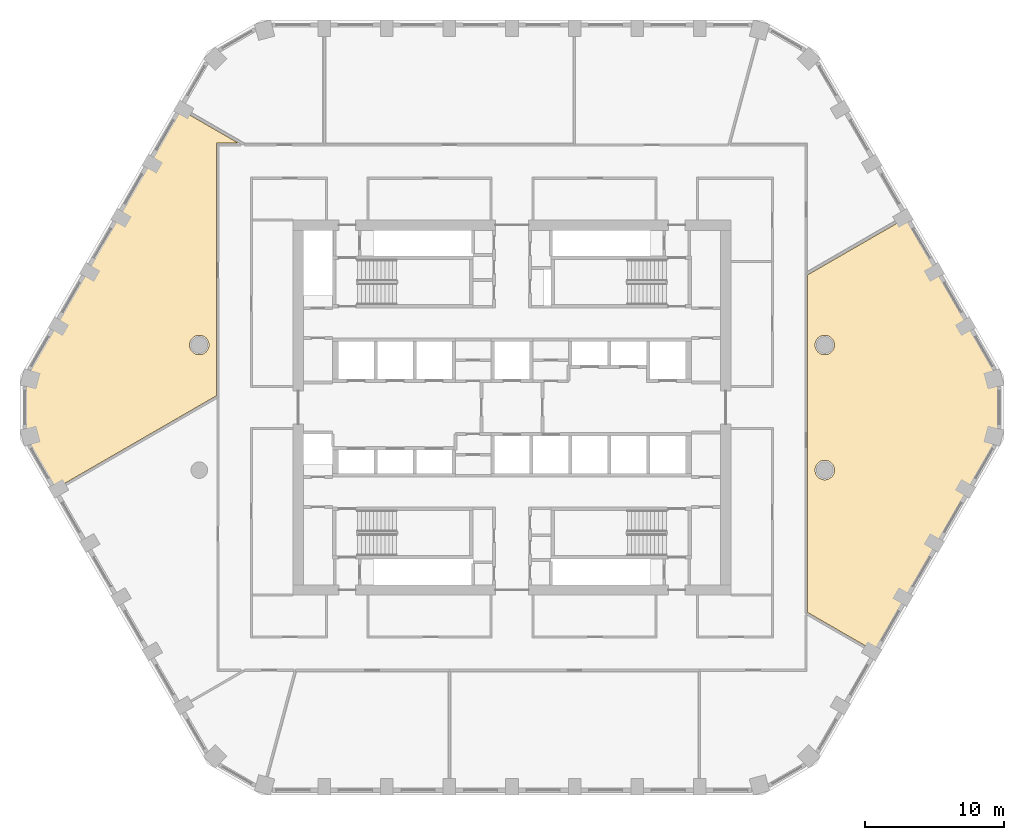
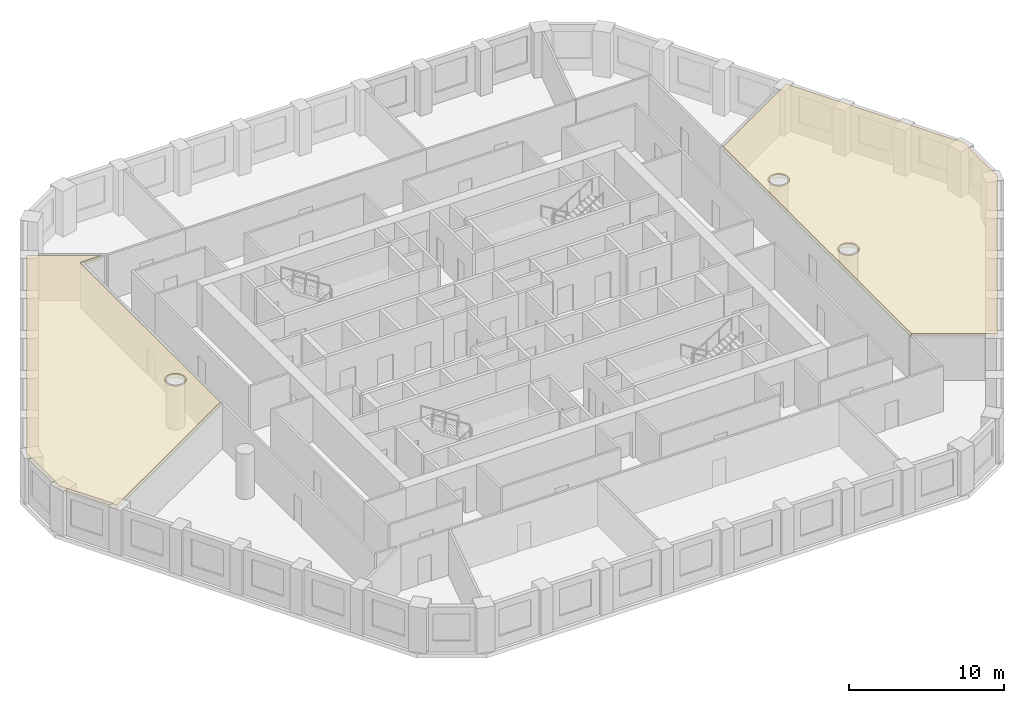
# One storey, part 12 of 14: 2 coverings.
"""IFC4 building model written with IfcOpenShell, lengths in metres."""

from ifc_helpers import new_model, si_unit, direction, frame, origin, place, context, subcontext, project, spatial, polyline, outline, extrude, material, layer, layer_set, type_object, element, save


model = new_model("IFC4")

# Units and contexts
model_context = context("Model", 3, precision=1e-05, world=origin(), true_north=direction((0.0, 1.0)))
body_context = subcontext(model_context, "Body", "Model", "MODEL_VIEW")
ifc_project = project(units=[si_unit("LENGTHUNIT", "METRE"), si_unit("AREAUNIT", "SQUARE_METRE"), si_unit("VOLUMEUNIT", "CUBIC_METRE"), si_unit("PLANEANGLEUNIT", "RADIAN"), si_unit("MASSUNIT", "GRAM", prefix="KILO")], contexts=[model_context])

# Site, building, storey
site_placement = place(None, origin())
site = spatial("IfcSite", under=ifc_project, at=site_placement, CompositionType="ELEMENT")
building_placement = place(site_placement, origin())
building = spatial("IfcBuilding", under=site, at=building_placement, Name="Dhurran Vertical Campus", CompositionType="ELEMENT")
storey_placement = place(building_placement, frame((0.0, 0.0, 136.5)))
storey = spatial("IfcBuildingStorey", under=building, at=storey_placement, Name="L33", CompositionType="ELEMENT", Elevation=136.5)

# Coverings
ifc_material = material(Name="Mineral fibre ceiling tiles on suspended grid")
ifc_layer = layer(ifc_material, 0.35009765625)
ifc_layer_set = layer_set([ifc_layer], Name="Mineral fibre ceiling tiles on suspended grid")
covering_type = type_object("IfcCoveringType", Name="fl-CE-350 suspended ceiling", PredefinedType="CEILING", material=ifc_layer_set)
covering_1_placement = place(storey_placement, frame((0.0, 0.0, 3.22509765625)))
element("IfcCovering", 1, at=covering_1_placement, inside=storey, type_object=covering_type, Name="Ceiling 33-09", PredefinedType="CEILING", context=body_context, shape_type="SweptSolid", body=[
    extrude(outline(polyline([(-19.68408203125, 19.02001953125), (-21.27001953125, 19.02001953125), (-21.27001953125, 0.847900390625), (-32.843017578125, -5.8330078125), (-34.97705078125, -2.137939453125), (-34.97705078125, 2.137939453125), (-23.843017578125, 21.422119140625), (-19.68408203125, 19.02001953125)]), holes=[polyline([(-21.830078125, 4.702880859375), (-21.85302734375, 4.76806640625), (-21.883056640625, 4.830078125), (-21.91796875, 4.888916015625), (-21.958984375, 4.944091796875), (-22.0048828125, 4.9951171875), (-22.055908203125, 5.041015625), (-22.111083984375, 5.08203125), (-22.169921875, 5.116943359375), (-22.23193359375, 5.14697265625), (-22.297119140625, 5.169921875), (-22.363037109375, 5.18701171875), (-22.430908203125, 5.197021484375), (-22.5, 5.199951171875), (-22.569091796875, 5.197021484375), (-22.636962890625, 5.18701171875), (-22.702880859375, 5.169921875), (-22.76806640625, 5.14697265625), (-22.830078125, 5.116943359375), (-22.888916015625, 5.08203125), (-22.944091796875, 5.041015625), (-22.9951171875, 4.9951171875), (-23.041015625, 4.944091796875), (-23.08203125, 4.888916015625), (-23.116943359375, 4.830078125), (-23.14697265625, 4.76806640625), (-23.169921875, 4.702880859375), (-23.18701171875, 4.636962890625), (-23.197021484375, 4.569091796875), (-23.199951171875, 4.5), (-23.197021484375, 4.430908203125), (-23.18701171875, 4.363037109375), (-23.169921875, 4.297119140625), (-23.14697265625, 4.23193359375), (-23.116943359375, 4.169921875), (-23.08203125, 4.111083984375), (-23.041015625, 4.055908203125), (-22.9951171875, 4.0048828125), (-22.944091796875, 3.958984375), (-22.888916015625, 3.91796875), (-22.830078125, 3.883056640625), (-22.76806640625, 3.85302734375), (-22.702880859375, 3.830078125), (-22.636962890625, 3.81298828125), (-22.569091796875, 3.802978515625), (-22.5, 3.800048828125), (-22.430908203125, 3.802978515625), (-22.363037109375, 3.81298828125), (-22.297119140625, 3.830078125), (-22.23193359375, 3.85302734375), (-22.169921875, 3.883056640625), (-22.111083984375, 3.91796875), (-22.055908203125, 3.958984375), (-22.0048828125, 4.0048828125), (-21.958984375, 4.055908203125), (-21.91796875, 4.111083984375), (-21.883056640625, 4.169921875), (-21.85302734375, 4.23193359375), (-21.830078125, 4.297119140625), (-21.81298828125, 4.363037109375), (-21.802978515625, 4.430908203125), (-21.800048828125, 4.5), (-21.802978515625, 4.569091796875), (-21.81298828125, 4.636962890625), (-21.830078125, 4.702880859375)])]), origin(), (0.0, 0.0, 1.0), 0.349853515625),
])
covering_2_placement = place(storey_placement, frame((0.0, 0.0, 3.22509765625)))
element("IfcCovering", 2, at=covering_2_placement, inside=storey, type_object=covering_type, Name="Ceiling 33-31", PredefinedType="CEILING", context=body_context, shape_type="SweptSolid", body=[
    extrude(outline(polyline([(28.343017578125, 13.626953125), (34.97705078125, 2.137939453125), (34.97705078125, -2.137939453125), (26.093017578125, -17.52392578125), (21.27001953125, -14.739990234375), (21.27001953125, 9.5439453125), (28.343017578125, 13.626953125)]), holes=[polyline([(23.18701171875, -4.363037109375), (23.169921875, -4.297119140625), (23.14697265625, -4.23193359375), (23.116943359375, -4.169921875), (23.08203125, -4.111083984375), (23.041015625, -4.055908203125), (22.9951171875, -4.0048828125), (22.944091796875, -3.958984375), (22.888916015625, -3.91796875), (22.830078125, -3.883056640625), (22.76806640625, -3.85302734375), (22.702880859375, -3.830078125), (22.636962890625, -3.81298828125), (22.569091796875, -3.802978515625), (22.5, -3.800048828125), (22.430908203125, -3.802978515625), (22.363037109375, -3.81298828125), (22.297119140625, -3.830078125), (22.23193359375, -3.85302734375), (22.169921875, -3.883056640625), (22.111083984375, -3.91796875), (22.055908203125, -3.958984375), (22.0048828125, -4.0048828125), (21.958984375, -4.055908203125), (21.91796875, -4.111083984375), (21.883056640625, -4.169921875), (21.85302734375, -4.23193359375), (21.830078125, -4.297119140625), (21.81298828125, -4.363037109375), (21.802978515625, -4.430908203125), (21.800048828125, -4.5), (21.802978515625, -4.569091796875), (21.81298828125, -4.636962890625), (21.830078125, -4.702880859375), (21.85302734375, -4.76806640625), (21.883056640625, -4.830078125), (21.91796875, -4.888916015625), (21.958984375, -4.944091796875), (22.0048828125, -4.9951171875), (22.055908203125, -5.041015625), (22.111083984375, -5.08203125), (22.169921875, -5.116943359375), (22.23193359375, -5.14697265625), (22.297119140625, -5.169921875), (22.363037109375, -5.18701171875), (22.430908203125, -5.197021484375), (22.5, -5.199951171875), (22.569091796875, -5.197021484375), (22.636962890625, -5.18701171875), (22.702880859375, -5.169921875), (22.76806640625, -5.14697265625), (22.830078125, -5.116943359375), (22.888916015625, -5.08203125), (22.944091796875, -5.041015625), (22.9951171875, -4.9951171875), (23.041015625, -4.944091796875), (23.08203125, -4.888916015625), (23.116943359375, -4.830078125), (23.14697265625, -4.76806640625), (23.169921875, -4.702880859375), (23.18701171875, -4.636962890625), (23.197021484375, -4.569091796875), (23.199951171875, -4.5), (23.197021484375, -4.430908203125), (23.18701171875, -4.363037109375)]), polyline([(23.197021484375, 4.569091796875), (23.18701171875, 4.636962890625), (23.169921875, 4.702880859375), (23.14697265625, 4.76806640625), (23.116943359375, 4.830078125), (23.08203125, 4.888916015625), (23.041015625, 4.944091796875), (22.9951171875, 4.9951171875), (22.944091796875, 5.041015625), (22.888916015625, 5.08203125), (22.830078125, 5.116943359375), (22.76806640625, 5.14697265625), (22.702880859375, 5.169921875), (22.636962890625, 5.18701171875), (22.569091796875, 5.197021484375), (22.5, 5.199951171875), (22.430908203125, 5.197021484375), (22.363037109375, 5.18701171875), (22.297119140625, 5.169921875), (22.23193359375, 5.14697265625), (22.169921875, 5.116943359375), (22.111083984375, 5.08203125), (22.055908203125, 5.041015625), (22.0048828125, 4.9951171875), (21.958984375, 4.944091796875), (21.91796875, 4.888916015625), (21.883056640625, 4.830078125), (21.85302734375, 4.76806640625), (21.830078125, 4.702880859375), (21.81298828125, 4.636962890625), (21.802978515625, 4.569091796875), (21.800048828125, 4.5), (21.802978515625, 4.430908203125), (21.81298828125, 4.363037109375), (21.830078125, 4.297119140625), (21.85302734375, 4.23193359375), (21.883056640625, 4.169921875), (21.91796875, 4.111083984375), (21.958984375, 4.055908203125), (22.0048828125, 4.0048828125), (22.055908203125, 3.958984375), (22.111083984375, 3.91796875), (22.169921875, 3.883056640625), (22.23193359375, 3.85302734375), (22.297119140625, 3.830078125), (22.363037109375, 3.81298828125), (22.430908203125, 3.802978515625), (22.5, 3.800048828125), (22.569091796875, 3.802978515625), (22.636962890625, 3.81298828125), (22.702880859375, 3.830078125), (22.76806640625, 3.85302734375), (22.830078125, 3.883056640625), (22.888916015625, 3.91796875), (22.944091796875, 3.958984375), (22.9951171875, 4.0048828125), (23.041015625, 4.055908203125), (23.08203125, 4.111083984375), (23.116943359375, 4.169921875), (23.14697265625, 4.23193359375), (23.169921875, 4.297119140625), (23.18701171875, 4.363037109375), (23.197021484375, 4.430908203125), (23.199951171875, 4.5), (23.197021484375, 4.569091796875)])]), origin(), (0.0, 0.0, 1.0), 0.349853515625),
])

save(model, "model.ifc")
